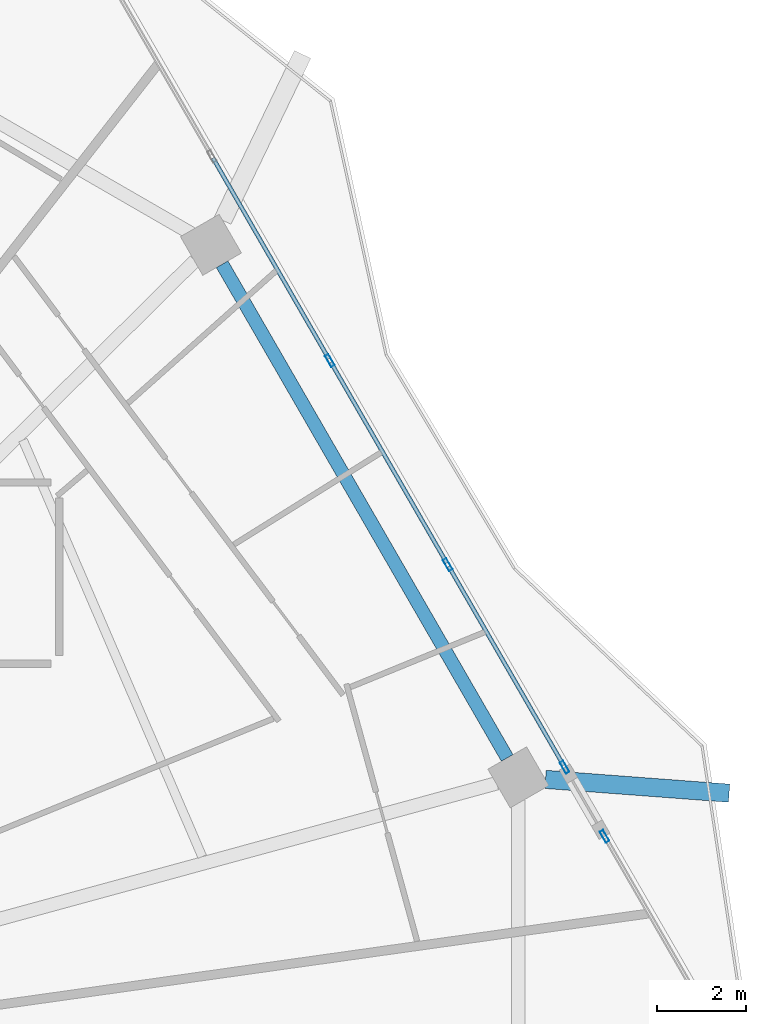
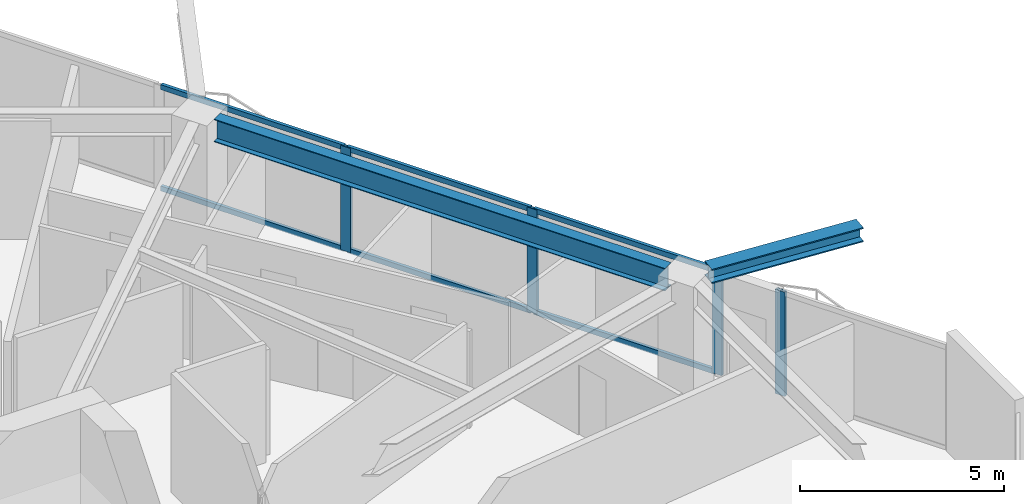
# One storey, part 15 of 26: 10 members, 2 beams, 2 elements without a shape of their own.
"""IFC4 building model written with IfcOpenShell, lengths in metres."""

import ifcopenshell
import ifcopenshell.guid

model = None  # the IFC model being written
_history = None  # IfcOwnerHistory: only IFC2X3 demands one
_inside = {}  # id of a spatial element -> (the spatial element, [elements in it])
_under = {}  # id of a project, library or spatial element -> (it, [spatial elements below it])
_declared = {}  # id of a project -> (the project, [libraries it declares])
_typed = {}  # id of a type object -> (the type object, [elements of that type])
_made_of = {}  # id of a material, layer set ... -> (it, [elements and type objects made of it])


def new_model(schema):
    """Start an empty IFC model of exactly this schema.

    Asked for "IFC4X3", IfcOpenShell would pick the latest addendum, in which some entities
    have other attributes; the version numbers below select the first issue.
    IFC2X3 requires an IfcOwnerHistory on every rooted entity: one is made here for all.
    """
    global model, _history
    if schema == "IFC4X3":
        model = ifcopenshell.file(schema_version=(4, 3, 0, 0))
    else:
        model = ifcopenshell.file(schema=schema)
    _inside.clear()
    _under.clear()
    _declared.clear()
    _typed.clear()
    _made_of.clear()
    _history = None
    if model.schema == "IFC2X3":
        org = make("IfcOrganization", Name="unknown")
        user = make(
            "IfcPersonAndOrganization",
            ThePerson=make("IfcPerson", FamilyName="unknown"),
            TheOrganization=org,
        )
        app = make(
            "IfcApplication",
            ApplicationDeveloper=org,
            Version="unknown",
            ApplicationFullName="unknown",
            ApplicationIdentifier="unknown",
        )
        _history = make(
            "IfcOwnerHistory",
            OwningUser=user,
            OwningApplication=app,
            ChangeAction="ADDED",
            CreationDate=0,
        )
    return model


def make(cls, **values):
    """One entity of the class cls with the attributes given. An attribute that is None is left unset."""
    return model.create_entity(
        cls, **{name: value for name, value in values.items() if value is not None}
    )


def rooted(cls, **values):
    """An entity with a GlobalId (a new one), such as an element, a storey or a relation."""
    return make(cls, GlobalId=ifcopenshell.guid.new(), OwnerHistory=_history, **values)


def si_unit(unit_type, name, prefix=None):
    """IfcSIUnit, for example si_unit("LENGTHUNIT", "METRE", prefix="MILLI")."""
    return make("IfcSIUnit", UnitType=unit_type, Prefix=prefix, Name=name)


def assignment(units):
    """IfcUnitAssignment: the units of a project."""
    return None if units is None else make("IfcUnitAssignment", Units=units)


def point(xyz):
    """IfcCartesianPoint."""
    return None if xyz is None else make("IfcCartesianPoint", Coordinates=xyz)


def direction(xyz):
    """IfcDirection."""
    return None if xyz is None else make("IfcDirection", DirectionRatios=xyz)


def frame(location, z_axis=None, x_axis=None):
    """IfcAxis2Placement3D, a coordinate frame: its origin and axes. An axis left out is left unset."""
    return make(
        "IfcAxis2Placement3D",
        Location=point(location),
        Axis=direction(z_axis),
        RefDirection=direction(x_axis),
    )


def frame_2d(location, x_axis=None):
    """IfcAxis2Placement2D, a coordinate frame in the plane: its origin and x axis."""
    return make(
        "IfcAxis2Placement2D", Location=point(location), RefDirection=direction(x_axis)
    )


def origin():
    """The frame at (0, 0, 0) with its axes left unset."""
    return frame((0.0, 0.0, 0.0))


def origin_2d():
    """The frame at (0, 0) in the plane with its x axis left unset."""
    return frame_2d((0.0, 0.0))


def place(relative_to, where):
    """IfcLocalPlacement: puts the frame where relative to a parent placement (None: the world)."""
    return make(
        "IfcLocalPlacement", PlacementRelTo=relative_to, RelativePlacement=where
    )


def context(
    kind, dimensions, precision=None, world=None, true_north=None, identifier=None
):
    """IfcGeometricRepresentationContext, for example the 3D "Model" context."""
    return make(
        "IfcGeometricRepresentationContext",
        ContextIdentifier=identifier,
        ContextType=kind,
        CoordinateSpaceDimension=dimensions,
        Precision=precision,
        WorldCoordinateSystem=world,
        TrueNorth=true_north,
    )


def subcontext(parent, identifier, kind, view, scale=None):
    """IfcGeometricRepresentationSubContext, for example "Body" below "Model"."""
    return make(
        "IfcGeometricRepresentationSubContext",
        ContextIdentifier=identifier,
        ContextType=kind,
        ParentContext=parent,
        TargetScale=scale,
        TargetView=view,
    )


def project(units=None, contexts=None):
    """IfcProject with its units and contexts."""
    return rooted(
        "IfcProject",
        Name="project",
        RepresentationContexts=contexts,
        UnitsInContext=assignment(units),
    )


def spatial(cls, under=None, at=None, **own):
    """A site, building, storey or space (cls), placed at a placement, below another one or the project."""
    s = rooted(cls, ObjectPlacement=at, **own)
    if under is not None:
        _under.setdefault(under.id(), (under, []))[1].append(s)
    return s


def profile(cls, at=None, kind="AREA", **sizes):
    """A parametric profile (cls). Its sizes go by their IFC names, for example OverallWidth=200.0."""
    return make(cls, ProfileType=kind, Position=at, **sizes)


def hollow_rectangle(**sizes):
    """IfcRectangleHollowProfileDef."""
    return profile("IfcRectangleHollowProfileDef", **sizes)


def i_section(**sizes):
    """IfcIShapeProfileDef."""
    return profile("IfcIShapeProfileDef", **sizes)


def extrude(swept, where, along, depth):
    """IfcExtrudedAreaSolid: the profile swept, set in the frame where, extruded along a direction by depth."""
    return make(
        "IfcExtrudedAreaSolid",
        SweptArea=swept,
        Position=where,
        ExtrudedDirection=direction(along),
        Depth=depth,
    )


def shape(context_of_items, identifier, shape_type, items):
    """IfcShapeRepresentation: the items that make up one representation, for example the "Body"."""
    return make(
        "IfcShapeRepresentation",
        ContextOfItems=context_of_items,
        RepresentationIdentifier=identifier,
        RepresentationType=shape_type,
        Items=items,
    )


def material(Name=None, Category=None):
    """IfcMaterial."""
    return make("IfcMaterial", Name=Name, Category=Category)


def material_profile(
    of_material, cross_section, Name=None, Category=None, Priority=None
):
    """IfcMaterialProfile: a cross section and its material."""
    return make(
        "IfcMaterialProfile",
        Name=Name,
        Material=of_material,
        Profile=cross_section,
        Priority=Priority,
        Category=Category,
    )


def profile_set(profiles, Name=None, composite=None):
    """IfcMaterialProfileSet."""
    return make(
        "IfcMaterialProfileSet",
        Name=Name,
        MaterialProfiles=profiles,
        CompositeProfile=composite,
    )


def made_of(thing, what):
    """Note that an element or type object is made of a material, layer set ...; save() writes the relation."""
    if what is not None:
        _made_of.setdefault(what.id(), (what, []))[1].append(thing)
    return thing


def type_object(cls, material=None, **own):
    """A type object (cls), such as IfcWallType, which elements share."""
    return made_of(rooted(cls, **own), material)


def element(
    cls,
    number,
    at=None,
    inside=None,
    cuts=None,
    type_object=None,
    material=None,
    context=None,
    identifier="Body",
    shape_type=None,
    held_by="IfcProductDefinitionShape",
    body=None,
    shapes=None,
    **own,
):
    """One element of the class cls, such as IfcWall. Its Tag is "e" and its number.

    at: its placement. inside: the storey or other place that contains it. cuts: it is an
    opening in that element (IfcRelVoidsElement). A single representation is given by context,
    identifier, shape_type and body (its items); several are given by shapes. held_by: the class
    of the entity that holds the representations. save() writes the other relations.
    """
    e = rooted(cls, Tag="e%d" % number, ObjectPlacement=at, **own)
    if body is not None:
        shapes = [shape(context, identifier, shape_type, body)]
    if shapes is not None:
        e.Representation = make(held_by, Representations=shapes)
    if inside is not None:
        _inside.setdefault(inside.id(), (inside, []))[1].append(e)
    if cuts is not None:
        rooted(
            "IfcRelVoidsElement", RelatingBuildingElement=cuts, RelatedOpeningElement=e
        )
    if type_object is not None:
        _typed.setdefault(type_object.id(), (type_object, []))[1].append(e)
    return made_of(e, material)


def aggregate(whole, parts):
    """IfcRelAggregates: a whole, such as a stair, and the parts it consists of."""
    return rooted("IfcRelAggregates", RelatingObject=whole, RelatedObjects=parts)


def save(model, path):
    """Write the relations noted so far, then the file.

    IfcRelAggregates (storeys below a building ...), IfcRelContainedInSpatialStructure (elements
    in a storey), IfcRelDefinesByType, IfcRelAssociatesMaterial and IfcRelDeclares: one each for
    every whole, place, type object, material and project.
    """
    for whole, parts in _under.values():
        aggregate(whole, parts)
    for where, things in _inside.values():
        rooted(
            "IfcRelContainedInSpatialStructure",
            RelatedElements=things,
            RelatingStructure=where,
        )
    for kind, things in _typed.values():
        rooted("IfcRelDefinesByType", RelatedObjects=things, RelatingType=kind)
    for what, things in _made_of.values():
        rooted("IfcRelAssociatesMaterial", RelatedObjects=things, RelatingMaterial=what)
    for by, libraries in _declared.values():
        rooted("IfcRelDeclares", RelatingContext=by, RelatedDefinitions=libraries)
    model.write(path)


model = new_model("IFC4")

# Units and contexts
model_context = context("Model", 3, precision=1e-05, world=origin(), true_north=direction((0.0, 1.0)))
body_context = subcontext(model_context, "Body", "Model", "MODEL_VIEW")
ifc_project = project(units=[si_unit("LENGTHUNIT", "METRE"), si_unit("AREAUNIT", "SQUARE_METRE"), si_unit("VOLUMEUNIT", "CUBIC_METRE"), si_unit("PLANEANGLEUNIT", "RADIAN"), si_unit("MASSUNIT", "GRAM", prefix="KILO")], contexts=[model_context])

# Site, building, storey
site_placement = place(None, origin())
site = spatial("IfcSite", under=ifc_project, at=site_placement, CompositionType="ELEMENT")
building_placement = place(site_placement, origin())
building = spatial("IfcBuilding", under=site, at=building_placement, Name="Zuhravey Tower", CompositionType="ELEMENT")
storey_placement = place(building_placement, frame((0.0, 0.0, 158.0)))
storey = spatial("IfcBuildingStorey", under=building, at=storey_placement, Name="L39", CompositionType="ELEMENT", Elevation=158.0)

# Curtain wall, members
ifc_material_1 = material(Name="Thermally broken anodised aluminium", Category="aluminium")
curtain_wall_type = type_object("IfcCurtainWallType", Name="Zone 1-2 Residential Curtain Wall CW3", PredefinedType="NOTDEFINED", material=ifc_material_1)
curtain_wall_1_placement = place(storey_placement, origin())
curtain_wall_1 = element("IfcCurtainWall", 1, at=curtain_wall_1_placement, inside=storey, type_object=curtain_wall_type, Name="L39 CW3 CW-L39-F1-1", PredefinedType="NOTDEFINED")
ifc_material_2 = material(Name="Anodised aluminium", Category="aluminium")
ifc_material_profile_1 = material_profile(ifc_material_2, hollow_rectangle(XDim=0.090087890625, YDim=0.284912109375, WallThickness=0.0048828125, at=origin_2d()), Name="ALU-RHS-90x285x5")
ifc_profile_set_1 = profile_set([ifc_material_profile_1], Name="Anodised aluminium")
member_type_1 = type_object("IfcMemberType", Name="Curtain-Wall Mullion 90x180", PredefinedType="MULLION", material=ifc_profile_set_1)
member_1_placement = place(storey_placement, frame((57.88720703125, 48.45654296875, 0.0), z_axis=(0.0, 0.0, 1.0), x_axis=(0.866024705312, 0.500001209789, 0.0)))
member_1 = element("IfcMember", 2, at=member_1_placement, type_object=member_type_1, Name="CW3 mullion 3", PredefinedType="MULLION", context=body_context, shape_type="SweptSolid", body=[
    extrude(hollow_rectangle(XDim=0.090087890625, YDim=0.284912109375, WallThickness=0.0048828125, at=origin_2d()), origin(), (0.0, 0.0, 1.0), 3.1220703125),
])
member_2_placement = place(storey_placement, frame((60.525390625, 43.886962890625, 0.0), z_axis=(0.0, 0.0, 1.0), x_axis=(0.866024705312, 0.500001209789, 0.0)))
member_2 = element("IfcMember", 3, at=member_2_placement, type_object=member_type_1, Name="CW3 mullion 4", PredefinedType="MULLION", context=body_context, shape_type="SweptSolid", body=[
    extrude(hollow_rectangle(XDim=0.090087890625, YDim=0.284912109375, WallThickness=0.0048828125, at=origin_2d()), origin(), (0.0, 0.0, 1.0), 3.1220703125),
])
member_3_placement = place(storey_placement, frame((63.14111328125, 39.3564453125, 0.0), z_axis=(0.0, 0.0, 1.0), x_axis=(0.866024705312, 0.500001209789, 0.0)))
member_3 = element("IfcMember", 4, at=member_3_placement, type_object=member_type_1, Name="CW3 mullion 5", PredefinedType="MULLION", context=body_context, shape_type="SweptSolid", body=[
    extrude(hollow_rectangle(XDim=0.090087890625, YDim=0.284912109375, WallThickness=0.0048828125, at=origin_2d()), origin(), (0.0, 0.0, 1.0), 3.1220703125),
])

# Curtain wall, member
curtain_wall_2_placement = place(storey_placement, origin())
curtain_wall_2 = element("IfcCurtainWall", 5, at=curtain_wall_2_placement, inside=storey, type_object=curtain_wall_type, Name="L39 CW3 CW-L39-F1-2", PredefinedType="NOTDEFINED")
member_4_placement = place(storey_placement, frame((64.0361328125, 37.806396484375, 0.0), z_axis=(0.0, 0.0, 1.0), x_axis=(0.86602910077, 0.499993596579, 0.0)))
member_4 = element("IfcMember", 6, at=member_4_placement, type_object=member_type_1, Name="CW3 mullion 1", PredefinedType="MULLION", context=body_context, shape_type="SweptSolid", body=[
    extrude(hollow_rectangle(XDim=0.090087890625, YDim=0.284912109375, WallThickness=0.0048828125, at=origin_2d()), origin(), (0.0, 0.0, 1.0), 3.1220703125),
])
aggregate(curtain_wall_2, [member_4])

# Member
ifc_material_profile_2 = material_profile(ifc_material_2, hollow_rectangle(XDim=0.090087890625, YDim=0.14990234375, WallThickness=0.0048828125, at=origin_2d()), Name="ALU-RHS-90x150x5")
ifc_profile_set_2 = profile_set([ifc_material_profile_2], Name="Anodised aluminium")
member_type_2 = type_object("IfcMemberType", Name="Curtain-Wall Transom 90x150", PredefinedType="USERDEFINED", material=ifc_profile_set_2)
member_5_placement = place(storey_placement, frame((55.271484375, 52.987060546875, 0.044921875), z_axis=(0.500017197033, -0.866015474845, 0.0), x_axis=(0.866015474845, 0.500017197033, 0.0)))
member_5 = element("IfcMember", 7, at=member_5_placement, type_object=member_type_2, Name="CW3 transom 2.1", ObjectType="TRANSOM", PredefinedType="USERDEFINED", context=body_context, shape_type="SweptSolid", body=[
    extrude(hollow_rectangle(XDim=0.090087890625, YDim=0.14990234375, WallThickness=0.0048828125, at=origin_2d()), origin(), (0.0, 0.0, 1.0), 5.186279296875),
])

member_6_placement = place(storey_placement, frame((55.271484375, 52.987060546875, 3.076904296875), z_axis=(0.500017197033, -0.866015474845, 0.0), x_axis=(0.866015474845, 0.500017197033, 0.0)))
member_6 = element("IfcMember", 8, at=member_6_placement, type_object=member_type_2, Name="CW3 transom 2.2", ObjectType="TRANSOM", PredefinedType="USERDEFINED", context=body_context, shape_type="SweptSolid", body=[
    extrude(hollow_rectangle(XDim=0.090087890625, YDim=0.14990234375, WallThickness=0.0048828125, at=origin_2d()), origin(), (0.0, 0.0, 1.0), 5.186279296875),
])

member_7_placement = place(storey_placement, frame((57.90966796875, 48.41748046875, 0.044921875), z_axis=(0.500017197033, -0.866015474845, 0.0), x_axis=(0.866015474845, 0.500017197033, 0.0)))
member_7 = element("IfcMember", 9, at=member_7_placement, type_object=member_type_2, Name="CW3 transom 3.1", ObjectType="TRANSOM", PredefinedType="USERDEFINED", context=body_context, shape_type="SweptSolid", body=[
    extrude(hollow_rectangle(XDim=0.090087890625, YDim=0.14990234375, WallThickness=0.0048828125, at=origin_2d()), origin(), (0.0, 0.0, 1.0), 5.186279296875),
])

member_8_placement = place(storey_placement, frame((57.90966796875, 48.41748046875, 3.076904296875), z_axis=(0.500017197033, -0.866015474845, 0.0), x_axis=(0.866015474845, 0.500017197033, 0.0)))
member_8 = element("IfcMember", 10, at=member_8_placement, type_object=member_type_2, Name="CW3 transom 3.2", ObjectType="TRANSOM", PredefinedType="USERDEFINED", context=body_context, shape_type="SweptSolid", body=[
    extrude(hollow_rectangle(XDim=0.090087890625, YDim=0.14990234375, WallThickness=0.0048828125, at=origin_2d()), origin(), (0.0, 0.0, 1.0), 5.186279296875),
])

member_9_placement = place(storey_placement, frame((60.5478515625, 43.84814453125, 0.044921875), z_axis=(0.500010177898, -0.866019527493, 0.0), x_axis=(0.866019527493, 0.500010177898, 0.0)))
member_9 = element("IfcMember", 11, at=member_9_placement, type_object=member_type_2, Name="CW3 transom 4.1", ObjectType="TRANSOM", PredefinedType="USERDEFINED", context=body_context, shape_type="SweptSolid", body=[
    extrude(hollow_rectangle(XDim=0.090087890625, YDim=0.14990234375, WallThickness=0.0048828125, at=origin_2d()), origin(), (0.0, 0.0, 1.0), 5.1416015625),
])

member_10_placement = place(storey_placement, frame((60.5478515625, 43.84814453125, 3.076904296875), z_axis=(0.500010177898, -0.866019527493, 0.0), x_axis=(0.866019527493, 0.500010177898, 0.0)))
member_10 = element("IfcMember", 12, at=member_10_placement, type_object=member_type_2, Name="CW3 transom 4.2", ObjectType="TRANSOM", PredefinedType="USERDEFINED", context=body_context, shape_type="SweptSolid", body=[
    extrude(hollow_rectangle(XDim=0.090087890625, YDim=0.14990234375, WallThickness=0.0048828125, at=origin_2d()), origin(), (0.0, 0.0, 1.0), 5.1416015625),
])

aggregate(curtain_wall_1, [member_1, member_2, member_3, member_5, member_6, member_7, member_8, member_9, member_10])

# Beams
ifc_material_3 = material(Name="Steel SM460", Category="steel")
ifc_material_profile_3 = material_profile(ifc_material_3, i_section(OverallWidth=0.406982421875, OverallDepth=0.427978515625, WebThickness=0.02001953125, FlangeThickness=0.034912109375, at=origin_2d()), Name="H-428x407x20x35")
ifc_profile_set_3 = profile_set([ifc_material_profile_3], Name="Steel SM460")
beam_type_1 = type_object("IfcBeamType", Name="Exoskeleton Node Tie Beam H428x407", PredefinedType="BEAM", material=ifc_profile_set_3)
beam_1_placement = place(storey_placement, frame((62.715087890625, 39.0810546875, 3.3359375), z_axis=(0.997195994678, -0.074834137925, 0.0), x_axis=(0.074834137925, 0.997195994678, 0.0)))
element("IfcBeam", 13, at=beam_1_placement, inside=storey, type_object=beam_type_1, Name="L39 Exoskeleton Node Tie NT1-01", PredefinedType="BEAM", context=body_context, shape_type="SweptSolid", body=[
    extrude(i_section(OverallWidth=0.406982421875, OverallDepth=0.427978515625, WebThickness=0.02001953125, FlangeThickness=0.034912109375, at=origin_2d()), origin(), (0.0, 0.0, 1.0), 4.120361328125),
])
ifc_material_4 = material(Name="Steel SM355", Category="steel")
ifc_material_profile_4 = material_profile(ifc_material_4, i_section(OverallWidth=0.300048828125, OverallDepth=0.679931640625, WebThickness=0.012939453125, FlangeThickness=0.02197265625, at=origin_2d()), Name="H-680x300x13x22")
ifc_profile_set_4 = profile_set([ifc_material_profile_4], Name="Steel SM355")
beam_type_2 = type_object("IfcBeamType", Name="Perimeter Ring Beam H680x300", PredefinedType="BEAM", material=ifc_profile_set_4)
beam_2_placement = place(storey_placement, frame((61.856201171875, 39.56201171875, 3.2099609375), z_axis=(-0.499997974489, 0.866026573211, 0.0), x_axis=(-0.866026573211, -0.499997974489, 0.0)))
element("IfcBeam", 14, at=beam_2_placement, inside=storey, type_object=beam_type_2, Name="L39 PB2 BM-L39-PB-01", PredefinedType="BEAM", context=body_context, shape_type="SweptSolid", body=[
    extrude(i_section(OverallWidth=0.300048828125, OverallDepth=0.679931640625, WebThickness=0.012939453125, FlangeThickness=0.02197265625, at=origin_2d()), origin(), (0.0, 0.0, 1.0), 12.75830078125),
])

save(model, "model.ifc")
